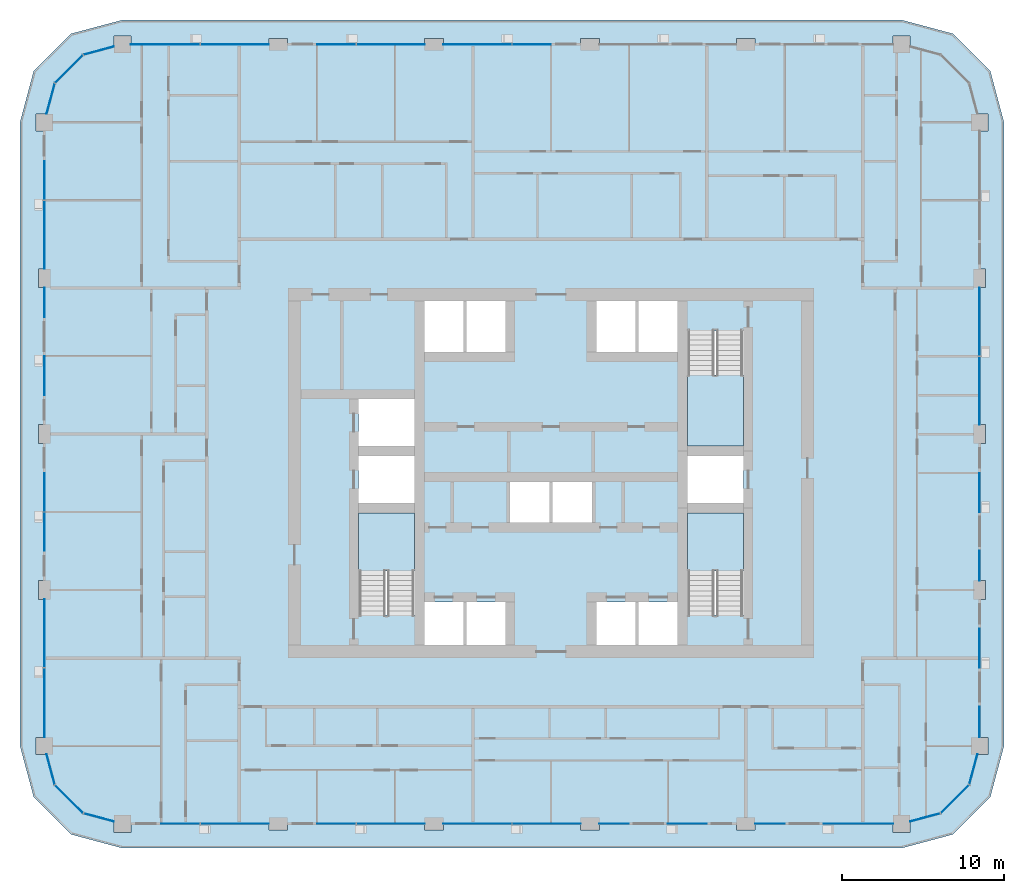
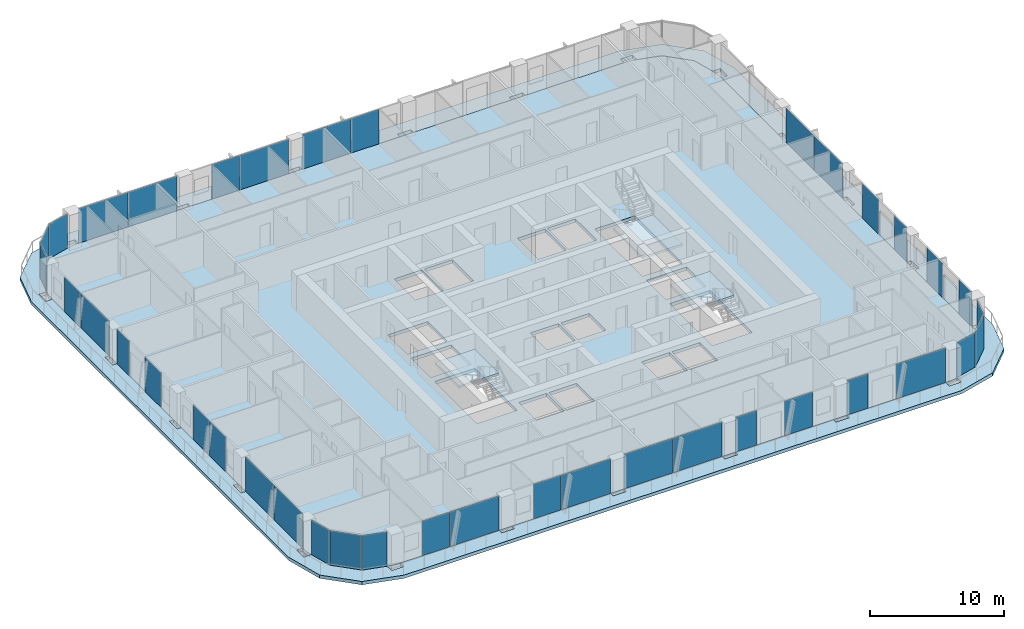
# One storey, part 7 of 22: 39 plates, 5 slabs, 21 elements without a shape of their own.
"""IFC4 building model written with IfcOpenShell, lengths in metres."""

from ifc_helpers import new_model, si_unit, direction, frame, origin, origin_2d, place, context, subcontext, project, spatial, polyline, rectangle, outline, extrude, material, layer, layer_set, type_object, element, aggregate, save


model = new_model("IFC4")

# Units and contexts
model_context = context("Model", 3, precision=1e-05, world=origin(), true_north=direction((0.0, 1.0)))
body_context = subcontext(model_context, "Body", "Model", "MODEL_VIEW")
ifc_project = project(units=[si_unit("LENGTHUNIT", "METRE"), si_unit("AREAUNIT", "SQUARE_METRE"), si_unit("VOLUMEUNIT", "CUBIC_METRE"), si_unit("PLANEANGLEUNIT", "RADIAN"), si_unit("MASSUNIT", "GRAM", prefix="KILO")], contexts=[model_context])

# Site, building, storey
site_placement = place(None, origin())
site = spatial("IfcSite", under=ifc_project, at=site_placement, CompositionType="ELEMENT")
building_placement = place(site_placement, origin())
building = spatial("IfcBuilding", under=site, at=building_placement, Name="Madar Terraces", CompositionType="ELEMENT")
storey_placement = place(building_placement, frame((0.0, 0.0, 122.60009765625)))
storey = spatial("IfcBuildingStorey", under=building, at=storey_placement, Name="L31", CompositionType="ELEMENT", Elevation=122.60009765625)

# Slabs
ifc_material_1 = material(Name="Concrete C50/60", Category="concrete")
ifc_layer_1 = layer(ifc_material_1, 0.300048828125)
ifc_layer_set_1 = layer_set([ifc_layer_1], Name="Balcony band 300")
slab_type_1 = type_object("IfcSlabType", Name="Balcony band 300", PredefinedType="FLOOR", material=ifc_layer_set_1)
slab_1_placement = place(storey_placement, frame((0.0, 0.0, -0.300048828125)))
element("IfcSlab", 1, at=slab_1_placement, inside=storey, type_object=slab_type_1, Name="Balcony band", PredefinedType="FLOOR", context=body_context, shape_type="SweptSolid", body=[
    extrude(outline(polyline([(4.800048828125, 3.300048828125), (1.64990234375, 4.14404296875), (-0.656005859375, 6.449951171875), (-1.5, 9.60009765625), (-1.5, 48.0), (-0.656005859375, 51.14990234375), (1.64990234375, 53.4560546875), (4.800048828125, 54.300048828125), (52.800048828125, 54.300048828125), (55.949951171875, 53.4560546875), (58.256103515625, 51.14990234375), (59.10009765625, 48.0), (59.10009765625, 9.60009765625), (58.256103515625, 6.449951171875), (55.949951171875, 4.14404296875), (52.800048828125, 3.300048828125), (4.800048828125, 3.300048828125)]), holes=[polyline([(5.324951171875, 4.27490234375), (5.324951171875, 4.800048828125), (13.824951171875, 4.800048828125), (13.824951171875, 4.425048828125), (14.97509765625, 4.425048828125), (14.97509765625, 4.800048828125), (23.425048828125, 4.800048828125), (23.425048828125, 4.425048828125), (24.574951171875, 4.425048828125), (24.574951171875, 4.800048828125), (33.02490234375, 4.800048828125), (33.02490234375, 4.425048828125), (34.175048828125, 4.425048828125), (34.175048828125, 4.800048828125), (42.625, 4.800048828125), (42.625, 4.425048828125), (43.77490234375, 4.425048828125), (43.77490234375, 4.800048828125), (52.27490234375, 4.800048828125), (52.27490234375, 4.27490234375), (53.324951171875, 4.27490234375), (53.324951171875, 4.940673828125), (55.199951171875, 5.443115234375), (56.956787109375, 7.199951171875), (57.459228515625, 9.074951171875), (58.125, 9.074951171875), (58.125, 10.125), (57.60009765625, 10.125), (57.60009765625, 18.625), (57.97509765625, 18.625), (57.97509765625, 19.77490234375), (57.60009765625, 19.77490234375), (57.60009765625, 28.22509765625), (57.97509765625, 28.22509765625), (57.97509765625, 29.375), (57.60009765625, 29.375), (57.60009765625, 37.824951171875), (57.97509765625, 37.824951171875), (57.97509765625, 38.97509765625), (57.60009765625, 38.97509765625), (57.60009765625, 47.47509765625), (58.125, 47.47509765625), (58.125, 48.52490234375), (57.459228515625, 48.52490234375), (56.956787109375, 50.39990234375), (55.199951171875, 52.156982421875), (53.324951171875, 52.6591796875), (53.324951171875, 53.324951171875), (52.27490234375, 53.324951171875), (52.27490234375, 52.800048828125), (43.77490234375, 52.800048828125), (43.77490234375, 53.175048828125), (42.625, 53.175048828125), (42.625, 52.800048828125), (34.175048828125, 52.800048828125), (34.175048828125, 53.175048828125), (33.02490234375, 53.175048828125), (33.02490234375, 52.800048828125), (24.574951171875, 52.800048828125), (24.574951171875, 53.175048828125), (23.425048828125, 53.175048828125), (23.425048828125, 52.800048828125), (14.97509765625, 52.800048828125), (14.97509765625, 53.175048828125), (13.824951171875, 53.175048828125), (13.824951171875, 52.800048828125), (5.324951171875, 52.800048828125), (5.324951171875, 53.324951171875), (4.27490234375, 53.324951171875), (4.27490234375, 52.6591796875), (2.39990234375, 52.156982421875), (0.64306640625, 50.39990234375), (0.140625, 48.52490234375), (-0.52490234375, 48.52490234375), (-0.52490234375, 47.47509765625), (0.0, 47.47509765625), (0.0, 38.97509765625), (-0.375, 38.97509765625), (-0.375, 37.824951171875), (0.0, 37.824951171875), (0.0, 29.375), (-0.375, 29.375), (-0.375, 28.22509765625), (0.0, 28.22509765625), (0.0, 19.77490234375), (-0.375, 19.77490234375), (-0.375, 18.625), (0.0, 18.625), (0.0, 10.125), (-0.52490234375, 10.125), (-0.52490234375, 9.074951171875), (0.140625, 9.074951171875), (0.64306640625, 7.199951171875), (2.39990234375, 5.443115234375), (4.27490234375, 4.940673828125), (4.27490234375, 4.27490234375), (5.324951171875, 4.27490234375)])]), origin(), (0.0, 0.0, 1.0), 0.300048828125),
])
ifc_material_2 = material(Name="Concrete C50/60", Category="concrete")
ifc_layer_2 = layer(ifc_material_2, 0.300048828125)
ifc_layer_set_2 = layer_set([ifc_layer_2], Name="FS2 PT flat slab 300")
slab_type_2 = type_object("IfcSlabType", Name="FS2 PT flat slab 300", PredefinedType="FLOOR", material=ifc_layer_set_2)
slab_2_placement = place(storey_placement, frame((0.0, 0.0, -0.300048828125)))
element("IfcSlab", 2, at=slab_2_placement, inside=storey, type_object=slab_type_2, Name="Floor slab L31 (1)", PredefinedType="FLOOR", context=body_context, shape_type="SweptSolid", body=[
    extrude(outline(polyline([(52.800048828125, 4.800048828125), (55.199951171875, 5.443115234375), (56.95703125, 7.199951171875), (57.60009765625, 9.60009765625), (57.60009765625, 48.0), (56.95703125, 50.39990234375), (55.199951171875, 52.156982421875), (52.800048828125, 52.800048828125), (4.800048828125, 52.800048828125), (2.39990234375, 52.156982421875), (0.64306640625, 50.39990234375), (0.0, 48.0), (0.0, 9.60009765625), (0.64306640625, 7.199951171875), (2.39990234375, 5.443115234375), (4.800048828125, 4.800048828125), (52.800048828125, 4.800048828125)]), holes=[polyline([(23.39990234375, 15.800048828125), (23.39990234375, 18.449951171875), (25.800048828125, 18.449951171875), (25.800048828125, 15.800048828125), (23.39990234375, 15.800048828125)]), polyline([(26.0, 15.800048828125), (26.0, 18.449951171875), (28.39990234375, 18.449951171875), (28.39990234375, 15.800048828125), (26.0, 15.800048828125)]), polyline([(19.35009765625, 17.64990234375), (19.35009765625, 23.949951171875), (22.800048828125, 23.949951171875), (22.800048828125, 17.64990234375), (19.35009765625, 17.64990234375)]), polyline([(28.666748046875, 23.35009765625), (28.666748046875, 25.85009765625), (31.10009765625, 25.85009765625), (31.10009765625, 23.35009765625), (28.666748046875, 23.35009765625)]), polyline([(19.35009765625, 24.550048828125), (19.35009765625, 27.449951171875), (22.800048828125, 27.449951171875), (22.800048828125, 24.550048828125), (19.35009765625, 24.550048828125)]), polyline([(19.35009765625, 28.050048828125), (19.35009765625, 30.949951171875), (22.800048828125, 30.949951171875), (22.800048828125, 28.050048828125), (19.35009765625, 28.050048828125)]), polyline([(23.39990234375, 33.85009765625), (23.39990234375, 37.0), (25.800048828125, 37.0), (25.800048828125, 33.85009765625), (23.39990234375, 33.85009765625)]), polyline([(26.0, 33.85009765625), (26.0, 37.0), (28.39990234375, 37.0), (28.39990234375, 33.85009765625), (26.0, 33.85009765625)]), polyline([(34.0, 15.800048828125), (34.0, 18.449951171875), (36.39990234375, 18.449951171875), (36.39990234375, 15.800048828125), (34.0, 15.800048828125)]), polyline([(36.60009765625, 15.800048828125), (36.60009765625, 18.449951171875), (39.0, 18.449951171875), (39.0, 15.800048828125), (36.60009765625, 15.800048828125)]), polyline([(39.60009765625, 17.64990234375), (39.60009765625, 23.949951171875), (43.050048828125, 23.949951171875), (43.050048828125, 17.64990234375), (39.60009765625, 17.64990234375)]), polyline([(31.300048828125, 23.35009765625), (31.300048828125, 25.85009765625), (33.7333984375, 25.85009765625), (33.7333984375, 23.35009765625), (31.300048828125, 23.35009765625)]), polyline([(39.60009765625, 24.550048828125), (39.60009765625, 27.449951171875), (43.050048828125, 27.449951171875), (43.050048828125, 24.550048828125), (39.60009765625, 24.550048828125)]), polyline([(39.60009765625, 28.050048828125), (39.60009765625, 35.14990234375), (43.050048828125, 35.14990234375), (43.050048828125, 28.050048828125), (39.60009765625, 28.050048828125)]), polyline([(34.0, 33.85009765625), (34.0, 37.0), (36.39990234375, 37.0), (36.39990234375, 33.85009765625), (34.0, 33.85009765625)]), polyline([(36.60009765625, 33.85009765625), (36.60009765625, 37.0), (39.0, 37.0), (39.0, 33.85009765625), (36.60009765625, 33.85009765625)])]), origin(), (0.0, 0.0, 1.0), 0.300048828125),
])

# Curtain wall, plates
ifc_material_3 = material(Name="Glass, ceramic frit dark grey, with black aluminium frame", Category="aluminium")
ifc_layer_3 = layer(ifc_material_3, 0.199951171875)
ifc_layer_set_3 = layer_set([ifc_layer_3], Name="Facade curtain wall, fritted glass")
curtain_wall_type = type_object("IfcCurtainWallType", Name="Facade curtain wall, fritted glass", PredefinedType="NOTDEFINED", material=ifc_layer_set_3)
curtain_wall_1_placement = place(storey_placement, origin())
curtain_wall_1 = element("IfcCurtainWall", 3, at=curtain_wall_1_placement, inside=storey, type_object=curtain_wall_type, Name="Outer skin curtain wall south bay 1", PredefinedType="NOTDEFINED")
ifc_material_4 = material(Name="Glass, ceramic frit dark grey", Category="glass")
ifc_layer_4 = layer(ifc_material_4, 0.028076171875)
ifc_layer_set_4 = layer_set([ifc_layer_4], Name="Facade glass panel 28")
plate_type = type_object("IfcPlateType", Name="Facade glass panel 28", PredefinedType="CURTAIN_PANEL", material=ifc_layer_set_4)
plate_1_placement = place(storey_placement, frame((8.385009765625, 4.800048828125, 0.0), z_axis=(0.0, 0.0, 1.0), x_axis=(1.0, 0.0, 0.0)))
plate_1 = element("IfcPlate", 4, at=plate_1_placement, type_object=plate_type, Name="Panel 1", PredefinedType="CURTAIN_PANEL", context=body_context, shape_type="SweptSolid", body=[
    extrude(rectangle(XDim=2.3701171875, YDim=0.028076171875, at=origin_2d()), origin(), (0.0, 0.0, 1.0), 3.139892578125),
])
plate_2_placement = place(storey_placement, frame((11.7275390625, 4.800048828125, 0.0), z_axis=(0.0, 0.0, 1.0), x_axis=(1.0, 0.0, 0.0)))
plate_2 = element("IfcPlate", 5, at=plate_2_placement, type_object=plate_type, Name="Panel 2", PredefinedType="CURTAIN_PANEL", context=body_context, shape_type="SweptSolid", body=[
    extrude(rectangle(XDim=4.195068359375, YDim=0.028076171875, at=origin_2d()), origin(), (0.0, 0.0, 1.0), 3.139892578125),
])
aggregate(curtain_wall_1, [plate_1, plate_2])

curtain_wall_2_placement = place(storey_placement, origin())
curtain_wall_2 = element("IfcCurtainWall", 6, at=curtain_wall_2_placement, inside=storey, type_object=curtain_wall_type, Name="Outer skin curtain wall south bay 2", PredefinedType="NOTDEFINED")
plate_3_placement = place(storey_placement, frame((17.985107421875, 4.800048828125, 0.0), z_axis=(0.0, 0.0, 1.0), x_axis=(1.0, 0.0, 0.0)))
plate_3 = element("IfcPlate", 7, at=plate_3_placement, type_object=plate_type, Name="Panel 1", PredefinedType="CURTAIN_PANEL", context=body_context, shape_type="SweptSolid", body=[
    extrude(rectangle(XDim=2.3701171875, YDim=0.028076171875, at=origin_2d()), origin(), (0.0, 0.0, 1.0), 3.139892578125),
])
plate_4_placement = place(storey_placement, frame((21.327392578125, 4.800048828125, 0.0), z_axis=(0.0, 0.0, 1.0), x_axis=(1.0, 0.0, 0.0)))
plate_4 = element("IfcPlate", 8, at=plate_4_placement, type_object=plate_type, Name="Panel 2", PredefinedType="CURTAIN_PANEL", context=body_context, shape_type="SweptSolid", body=[
    extrude(rectangle(XDim=4.195068359375, YDim=0.028076171875, at=origin_2d()), origin(), (0.0, 0.0, 1.0), 3.139892578125),
])
aggregate(curtain_wall_2, [plate_3, plate_4])

curtain_wall_3_placement = place(storey_placement, origin())
curtain_wall_3 = element("IfcCurtainWall", 9, at=curtain_wall_3_placement, inside=storey, type_object=curtain_wall_type, Name="Outer skin curtain wall south bay 3", PredefinedType="NOTDEFINED")
plate_5_placement = place(storey_placement, frame((26.672607421875, 4.800048828125, 0.0), z_axis=(0.0, 0.0, 1.0), x_axis=(1.0, 0.0, 0.0)))
plate_5 = element("IfcPlate", 10, at=plate_5_placement, type_object=plate_type, Name="Panel 1", PredefinedType="CURTAIN_PANEL", context=body_context, shape_type="SweptSolid", body=[
    extrude(rectangle(XDim=4.195068359375, YDim=0.028076171875, at=origin_2d()), origin(), (0.0, 0.0, 1.0), 3.139892578125),
])
plate_6_placement = place(storey_placement, frame((30.927490234375, 4.800048828125, 0.0), z_axis=(0.0, 0.0, 1.0), x_axis=(1.0, 0.0, 0.0)))
plate_6 = element("IfcPlate", 11, at=plate_6_placement, type_object=plate_type, Name="Panel 2", PredefinedType="CURTAIN_PANEL", context=body_context, shape_type="SweptSolid", body=[
    extrude(rectangle(XDim=4.195068359375, YDim=0.028076171875, at=origin_2d()), origin(), (0.0, 0.0, 1.0), 3.139892578125),
])
aggregate(curtain_wall_3, [plate_5, plate_6])

curtain_wall_4_placement = place(storey_placement, origin())
curtain_wall_4 = element("IfcCurtainWall", 12, at=curtain_wall_4_placement, inside=storey, type_object=curtain_wall_type, Name="Outer skin curtain wall south bay 4", PredefinedType="NOTDEFINED")
plate_7_placement = place(storey_placement, frame((35.08740234375, 4.800048828125, 0.0), z_axis=(0.0, 0.0, 1.0), x_axis=(1.0, 0.0, 0.0)))
plate_7 = element("IfcPlate", 13, at=plate_7_placement, type_object=plate_type, Name="Panel 1", PredefinedType="CURTAIN_PANEL", context=body_context, shape_type="SweptSolid", body=[
    extrude(rectangle(XDim=1.824951171875, YDim=0.028076171875, at=origin_2d()), origin(), (0.0, 0.0, 1.0), 3.139892578125),
])
plate_8_placement = place(storey_placement, frame((39.60009765625, 4.800048828125, 0.0), z_axis=(0.0, 0.0, 1.0), x_axis=(1.0, 0.0, 0.0)))
plate_8 = element("IfcPlate", 14, at=plate_8_placement, type_object=plate_type, Name="Panel 2", PredefinedType="CURTAIN_PANEL", context=body_context, shape_type="SweptSolid", body=[
    extrude(rectangle(XDim=2.39990234375, YDim=0.028076171875, at=origin_2d()), origin(), (0.0, 0.0, 1.0), 3.139892578125),
])
aggregate(curtain_wall_4, [plate_7, plate_8])

curtain_wall_5_placement = place(storey_placement, origin())
curtain_wall_5 = element("IfcCurtainWall", 15, at=curtain_wall_5_placement, inside=storey, type_object=curtain_wall_type, Name="Outer skin curtain wall south bay 5", PredefinedType="NOTDEFINED")
plate_9_placement = place(storey_placement, frame((44.6875, 4.800048828125, 0.0), z_axis=(0.0, 0.0, 1.0), x_axis=(1.0, 0.0, 0.0)))
plate_9 = element("IfcPlate", 16, at=plate_9_placement, type_object=plate_type, Name="Panel 1", PredefinedType="CURTAIN_PANEL", context=body_context, shape_type="SweptSolid", body=[
    extrude(rectangle(XDim=1.824951171875, YDim=0.028076171875, at=origin_2d()), origin(), (0.0, 0.0, 1.0), 3.139892578125),
])
plate_10_placement = place(storey_placement, frame((50.137451171875, 4.800048828125, 0.0), z_axis=(0.0, 0.0, 1.0), x_axis=(1.0, 0.0, 0.0)))
plate_10 = element("IfcPlate", 17, at=plate_10_placement, type_object=plate_type, Name="Panel 2", PredefinedType="CURTAIN_PANEL", context=body_context, shape_type="SweptSolid", body=[
    extrude(rectangle(XDim=4.27490234375, YDim=0.028076171875, at=origin_2d()), origin(), (0.0, 0.0, 1.0), 3.139892578125),
])
aggregate(curtain_wall_5, [plate_9, plate_10])

curtain_wall_6_placement = place(storey_placement, origin())
curtain_wall_6 = element("IfcCurtainWall", 18, at=curtain_wall_6_placement, inside=storey, type_object=curtain_wall_type, Name="Outer skin curtain wall east bay 1", PredefinedType="NOTDEFINED")
plate_11_placement = place(storey_placement, frame((57.60009765625, 11.0625, 0.0), z_axis=(0.0, 0.0, 1.0), x_axis=(0.0, 1.0, 0.0)))
plate_11 = element("IfcPlate", 19, at=plate_11_placement, type_object=plate_type, Name="Panel 1", PredefinedType="CURTAIN_PANEL", context=body_context, shape_type="SweptSolid", body=[
    extrude(rectangle(XDim=1.875, YDim=0.028076171875, at=origin_2d()), origin(), (0.0, 0.0, 1.0), 3.139892578125),
])
plate_12_placement = place(storey_placement, frame((57.60009765625, 15.60009765625, 0.0), z_axis=(0.0, 0.0, 1.0), x_axis=(0.0, 1.0, 0.0)))
plate_12 = element("IfcPlate", 20, at=plate_12_placement, type_object=plate_type, Name="Panel 2", PredefinedType="CURTAIN_PANEL", context=body_context, shape_type="SweptSolid", body=[
    extrude(rectangle(XDim=2.39990234375, YDim=0.028076171875, at=origin_2d()), origin(), (0.0, 0.0, 1.0), 3.139892578125),
])
aggregate(curtain_wall_6, [plate_11, plate_12])

curtain_wall_7_placement = place(storey_placement, origin())
curtain_wall_7 = element("IfcCurtainWall", 21, at=curtain_wall_7_placement, inside=storey, type_object=curtain_wall_type, Name="Outer skin curtain wall east bay 2", PredefinedType="NOTDEFINED")
plate_13_placement = place(storey_placement, frame((57.60009765625, 20.6875, 0.0), z_axis=(0.0, 0.0, 1.0), x_axis=(0.0, 1.0, 0.0)))
plate_13 = element("IfcPlate", 22, at=plate_13_placement, type_object=plate_type, Name="Panel 1", PredefinedType="CURTAIN_PANEL", context=body_context, shape_type="SweptSolid", body=[
    extrude(rectangle(XDim=1.824951171875, YDim=0.028076171875, at=origin_2d()), origin(), (0.0, 0.0, 1.0), 3.139892578125),
])
plate_14_placement = place(storey_placement, frame((57.60009765625, 25.199951171875, 0.0), z_axis=(0.0, 0.0, 1.0), x_axis=(0.0, 1.0, 0.0)))
plate_14 = element("IfcPlate", 23, at=plate_14_placement, type_object=plate_type, Name="Panel 2", PredefinedType="CURTAIN_PANEL", context=body_context, shape_type="SweptSolid", body=[
    extrude(rectangle(XDim=2.39990234375, YDim=0.028076171875, at=origin_2d()), origin(), (0.0, 0.0, 1.0), 3.139892578125),
])
aggregate(curtain_wall_7, [plate_13, plate_14])

curtain_wall_8_placement = place(storey_placement, origin())
curtain_wall_8 = element("IfcCurtainWall", 24, at=curtain_wall_8_placement, inside=storey, type_object=curtain_wall_type, Name="Outer skin curtain wall east bay 3", PredefinedType="NOTDEFINED")
plate_15_placement = place(storey_placement, frame((57.60009765625, 31.472412109375, 0.0), z_axis=(0.0, 0.0, 1.0), x_axis=(0.0, 1.0, 0.0)))
plate_15 = element("IfcPlate", 25, at=plate_15_placement, type_object=plate_type, Name="Panel 1", PredefinedType="CURTAIN_PANEL", context=body_context, shape_type="SweptSolid", body=[
    extrude(rectangle(XDim=4.195068359375, YDim=0.028076171875, at=origin_2d()), origin(), (0.0, 0.0, 1.0), 3.139892578125),
])
plate_16_placement = place(storey_placement, frame((57.60009765625, 35.7275390625, 0.0), z_axis=(0.0, 0.0, 1.0), x_axis=(0.0, 1.0, 0.0)))
plate_16 = element("IfcPlate", 26, at=plate_16_placement, type_object=plate_type, Name="Panel 2", PredefinedType="CURTAIN_PANEL", context=body_context, shape_type="SweptSolid", body=[
    extrude(rectangle(XDim=4.195068359375, YDim=0.028076171875, at=origin_2d()), origin(), (0.0, 0.0, 1.0), 3.139892578125),
])
aggregate(curtain_wall_8, [plate_15, plate_16])

curtain_wall_9_placement = place(storey_placement, origin())
curtain_wall_9 = element("IfcCurtainWall", 27, at=curtain_wall_9_placement, inside=storey, type_object=curtain_wall_type, Name="Outer skin curtain wall north bay 3", PredefinedType="NOTDEFINED")
plate_17_placement = place(storey_placement, frame((30.014892578125, 52.800048828125, 0.0), z_axis=(0.0, 0.0, 1.0), x_axis=(-1.0, 0.0, 0.0)))
plate_17 = element("IfcPlate", 28, at=plate_17_placement, type_object=plate_type, Name="Panel 1", PredefinedType="CURTAIN_PANEL", context=body_context, shape_type="SweptSolid", body=[
    extrude(rectangle(XDim=2.3701171875, YDim=0.028076171875, at=origin_2d()), origin(), (0.0, 0.0, 1.0), 3.139892578125),
])
plate_18_placement = place(storey_placement, frame((26.672607421875, 52.800048828125, 0.0), z_axis=(0.0, 0.0, 1.0), x_axis=(-1.0, 0.0, 0.0)))
plate_18 = element("IfcPlate", 29, at=plate_18_placement, type_object=plate_type, Name="Panel 2", PredefinedType="CURTAIN_PANEL", context=body_context, shape_type="SweptSolid", body=[
    extrude(rectangle(XDim=4.195068359375, YDim=0.028076171875, at=origin_2d()), origin(), (0.0, 0.0, 1.0), 3.139892578125),
])
aggregate(curtain_wall_9, [plate_17, plate_18])

curtain_wall_10_placement = place(storey_placement, origin())
curtain_wall_10 = element("IfcCurtainWall", 30, at=curtain_wall_10_placement, inside=storey, type_object=curtain_wall_type, Name="Outer skin curtain wall north bay 4", PredefinedType="NOTDEFINED")
plate_19_placement = place(storey_placement, frame((21.327392578125, 52.800048828125, 0.0), z_axis=(0.0, 0.0, 1.0), x_axis=(-1.0, 0.0, 0.0)))
plate_19 = element("IfcPlate", 31, at=plate_19_placement, type_object=plate_type, Name="Panel 1", PredefinedType="CURTAIN_PANEL", context=body_context, shape_type="SweptSolid", body=[
    extrude(rectangle(XDim=4.195068359375, YDim=0.028076171875, at=origin_2d()), origin(), (0.0, 0.0, 1.0), 3.139892578125),
])
plate_20_placement = place(storey_placement, frame((17.985107421875, 52.800048828125, 0.0), z_axis=(0.0, 0.0, 1.0), x_axis=(-1.0, 0.0, 0.0)))
plate_20 = element("IfcPlate", 32, at=plate_20_placement, type_object=plate_type, Name="Panel 2", PredefinedType="CURTAIN_PANEL", context=body_context, shape_type="SweptSolid", body=[
    extrude(rectangle(XDim=2.3701171875, YDim=0.028076171875, at=origin_2d()), origin(), (0.0, 0.0, 1.0), 3.139892578125),
])
aggregate(curtain_wall_10, [plate_19, plate_20])

curtain_wall_11_placement = place(storey_placement, origin())
curtain_wall_11 = element("IfcCurtainWall", 33, at=curtain_wall_11_placement, inside=storey, type_object=curtain_wall_type, Name="Outer skin curtain wall north bay 5", PredefinedType="NOTDEFINED")
plate_21_placement = place(storey_placement, frame((11.7275390625, 52.800048828125, 0.0), z_axis=(0.0, 0.0, 1.0), x_axis=(-1.0, 0.0, 0.0)))
plate_21 = element("IfcPlate", 34, at=plate_21_placement, type_object=plate_type, Name="Panel 1", PredefinedType="CURTAIN_PANEL", context=body_context, shape_type="SweptSolid", body=[
    extrude(rectangle(XDim=4.195068359375, YDim=0.028076171875, at=origin_2d()), origin(), (0.0, 0.0, 1.0), 3.139892578125),
])
plate_22_placement = place(storey_placement, frame((7.447509765625, 52.800048828125, 0.0), z_axis=(0.0, 0.0, 1.0), x_axis=(-1.0, 0.0, 0.0)))
plate_22 = element("IfcPlate", 35, at=plate_22_placement, type_object=plate_type, Name="Panel 2", PredefinedType="CURTAIN_PANEL", context=body_context, shape_type="SweptSolid", body=[
    extrude(rectangle(XDim=4.2451171875, YDim=0.028076171875, at=origin_2d()), origin(), (0.0, 0.0, 1.0), 3.139892578125),
])
aggregate(curtain_wall_11, [plate_21, plate_22])

curtain_wall_12_placement = place(storey_placement, origin())
curtain_wall_12 = element("IfcCurtainWall", 36, at=curtain_wall_12_placement, inside=storey, type_object=curtain_wall_type, Name="Outer skin curtain wall west bay 1", PredefinedType="NOTDEFINED")
plate_23_placement = place(storey_placement, frame((0.0, 44.4150390625, 0.0), z_axis=(0.0, 0.0, 1.0), x_axis=(0.0, -1.0, 0.0)))
plate_23 = element("IfcPlate", 37, at=plate_23_placement, type_object=plate_type, Name="Panel 1", PredefinedType="CURTAIN_PANEL", context=body_context, shape_type="SweptSolid", body=[
    extrude(rectangle(XDim=2.3701171875, YDim=0.028076171875, at=origin_2d()), origin(), (0.0, 0.0, 1.0), 3.139892578125),
])
plate_24_placement = place(storey_placement, frame((0.0, 41.072509765625, 0.0), z_axis=(0.0, 0.0, 1.0), x_axis=(0.0, -1.0, 0.0)))
plate_24 = element("IfcPlate", 38, at=plate_24_placement, type_object=plate_type, Name="Panel 2", PredefinedType="CURTAIN_PANEL", context=body_context, shape_type="SweptSolid", body=[
    extrude(rectangle(XDim=4.195068359375, YDim=0.028076171875, at=origin_2d()), origin(), (0.0, 0.0, 1.0), 3.139892578125),
])
aggregate(curtain_wall_12, [plate_23, plate_24])

curtain_wall_13_placement = place(storey_placement, origin())
curtain_wall_13 = element("IfcCurtainWall", 39, at=curtain_wall_13_placement, inside=storey, type_object=curtain_wall_type, Name="Outer skin curtain wall west bay 2", PredefinedType="NOTDEFINED")
plate_25_placement = place(storey_placement, frame((0.0, 36.91259765625, 0.0), z_axis=(0.0, 0.0, 1.0), x_axis=(0.0, -1.0, 0.0)))
plate_25 = element("IfcPlate", 40, at=plate_25_placement, type_object=plate_type, Name="Panel 1", PredefinedType="CURTAIN_PANEL", context=body_context, shape_type="SweptSolid", body=[
    extrude(rectangle(XDim=1.824951171875, YDim=0.028076171875, at=origin_2d()), origin(), (0.0, 0.0, 1.0), 3.139892578125),
])
plate_26_placement = place(storey_placement, frame((0.0, 32.39990234375, 0.0), z_axis=(0.0, 0.0, 1.0), x_axis=(0.0, -1.0, 0.0)))
plate_26 = element("IfcPlate", 41, at=plate_26_placement, type_object=plate_type, Name="Panel 2", PredefinedType="CURTAIN_PANEL", context=body_context, shape_type="SweptSolid", body=[
    extrude(rectangle(XDim=2.39990234375, YDim=0.028076171875, at=origin_2d()), origin(), (0.0, 0.0, 1.0), 3.139892578125),
])
aggregate(curtain_wall_13, [plate_25, plate_26])

curtain_wall_14_placement = place(storey_placement, origin())
curtain_wall_14 = element("IfcCurtainWall", 42, at=curtain_wall_14_placement, inside=storey, type_object=curtain_wall_type, Name="Outer skin curtain wall west bay 3", PredefinedType="NOTDEFINED")
plate_27_placement = place(storey_placement, frame((0.0, 25.215087890625, 0.0), z_axis=(0.0, 0.0, 1.0), x_axis=(0.0, -1.0, 0.0)))
plate_27 = element("IfcPlate", 43, at=plate_27_placement, type_object=plate_type, Name="Panel 1", PredefinedType="CURTAIN_PANEL", context=body_context, shape_type="SweptSolid", body=[
    extrude(rectangle(XDim=2.3701171875, YDim=0.028076171875, at=origin_2d()), origin(), (0.0, 0.0, 1.0), 3.139892578125),
])
plate_28_placement = place(storey_placement, frame((0.0, 22.784912109375, 0.0), z_axis=(0.0, 0.0, 1.0), x_axis=(0.0, -1.0, 0.0)))
plate_28 = element("IfcPlate", 44, at=plate_28_placement, type_object=plate_type, Name="Panel 2", PredefinedType="CURTAIN_PANEL", context=body_context, shape_type="SweptSolid", body=[
    extrude(rectangle(XDim=2.3701171875, YDim=0.028076171875, at=origin_2d()), origin(), (0.0, 0.0, 1.0), 3.139892578125),
])
aggregate(curtain_wall_14, [plate_27, plate_28])

curtain_wall_15_placement = place(storey_placement, origin())
curtain_wall_15 = element("IfcCurtainWall", 45, at=curtain_wall_15_placement, inside=storey, type_object=curtain_wall_type, Name="Outer skin curtain wall west bay 4", PredefinedType="NOTDEFINED")
plate_29_placement = place(storey_placement, frame((0.0, 16.527587890625, 0.0), z_axis=(0.0, 0.0, 1.0), x_axis=(0.0, -1.0, 0.0)))
plate_29 = element("IfcPlate", 46, at=plate_29_placement, type_object=plate_type, Name="Panel 1", PredefinedType="CURTAIN_PANEL", context=body_context, shape_type="SweptSolid", body=[
    extrude(rectangle(XDim=4.195068359375, YDim=0.028076171875, at=origin_2d()), origin(), (0.0, 0.0, 1.0), 3.139892578125),
])
plate_30_placement = place(storey_placement, frame((0.0, 12.24755859375, 0.0), z_axis=(0.0, 0.0, 1.0), x_axis=(0.0, -1.0, 0.0)))
plate_30 = element("IfcPlate", 47, at=plate_30_placement, type_object=plate_type, Name="Panel 2", PredefinedType="CURTAIN_PANEL", context=body_context, shape_type="SweptSolid", body=[
    extrude(rectangle(XDim=4.2451171875, YDim=0.028076171875, at=origin_2d()), origin(), (0.0, 0.0, 1.0), 3.139892578125),
])
aggregate(curtain_wall_15, [plate_29, plate_30])

curtain_wall_16_placement = place(storey_placement, origin())
curtain_wall_16 = element("IfcCurtainWall", 48, at=curtain_wall_16_placement, inside=storey, type_object=curtain_wall_type, Name="Outer skin curtain wall south-east corner", PredefinedType="NOTDEFINED")
plate_31_placement = place(storey_placement, frame((54.248046875, 5.18798828125, 0.0), z_axis=(0.0, 0.0, 1.0), x_axis=(0.965925832509, 0.258819021888, 0.0)))
plate_31 = element("IfcPlate", 49, at=plate_31_placement, type_object=plate_type, Name="Panel 1", PredefinedType="CURTAIN_PANEL", context=body_context, shape_type="SweptSolid", body=[
    extrude(rectangle(XDim=1.9111328125, YDim=0.028076171875, at=origin_2d()), origin(), (0.0, 0.0, 1.0), 3.139892578125),
])
plate_32_placement = place(storey_placement, frame((56.078369140625, 6.321533203125, 0.0), z_axis=(0.0, 0.0, 1.0), x_axis=(0.707106781187, 0.707106781187, 0.0)))
plate_32 = element("IfcPlate", 50, at=plate_32_placement, type_object=plate_type, Name="Panel 2", PredefinedType="CURTAIN_PANEL", context=body_context, shape_type="SweptSolid", body=[
    extrude(rectangle(XDim=2.424560546875, YDim=0.028076171875, at=origin_2d()), origin(), (0.0, 0.0, 1.0), 3.139892578125),
])
plate_33_placement = place(storey_placement, frame((57.2119140625, 8.152099609375, 0.0), z_axis=(0.0, 0.0, 1.0), x_axis=(0.258819021888, 0.965925832509, 0.0)))
plate_33 = element("IfcPlate", 51, at=plate_33_placement, type_object=plate_type, Name="Panel 3", PredefinedType="CURTAIN_PANEL", context=body_context, shape_type="SweptSolid", body=[
    extrude(rectangle(XDim=1.9111328125, YDim=0.028076171875, at=origin_2d()), origin(), (0.0, 0.0, 1.0), 3.139892578125),
])
aggregate(curtain_wall_16, [plate_31, plate_32, plate_33])

curtain_wall_17_placement = place(storey_placement, origin())
curtain_wall_17 = element("IfcCurtainWall", 52, at=curtain_wall_17_placement, inside=storey, type_object=curtain_wall_type, Name="Outer skin curtain wall north-west corner", PredefinedType="NOTDEFINED")
plate_34_placement = place(storey_placement, frame((3.35205078125, 52.412109375, 0.0), z_axis=(0.0, 0.0, 1.0), x_axis=(-0.965925832509, -0.258819021888, 0.0)))
plate_34 = element("IfcPlate", 53, at=plate_34_placement, type_object=plate_type, Name="Panel 1", PredefinedType="CURTAIN_PANEL", context=body_context, shape_type="SweptSolid", body=[
    extrude(rectangle(XDim=1.9111328125, YDim=0.028076171875, at=origin_2d()), origin(), (0.0, 0.0, 1.0), 3.139892578125),
])
plate_35_placement = place(storey_placement, frame((1.521484375, 51.278564453125, 0.0), z_axis=(0.0, 0.0, 1.0), x_axis=(-0.707106781187, -0.707106781187, 0.0)))
plate_35 = element("IfcPlate", 54, at=plate_35_placement, type_object=plate_type, Name="Panel 2", PredefinedType="CURTAIN_PANEL", context=body_context, shape_type="SweptSolid", body=[
    extrude(rectangle(XDim=2.424560546875, YDim=0.028076171875, at=origin_2d()), origin(), (0.0, 0.0, 1.0), 3.139892578125),
])
plate_36_placement = place(storey_placement, frame((0.387939453125, 49.447998046875, 0.0), z_axis=(0.0, 0.0, 1.0), x_axis=(-0.258819021888, -0.965925832509, 0.0)))
plate_36 = element("IfcPlate", 55, at=plate_36_placement, type_object=plate_type, Name="Panel 3", PredefinedType="CURTAIN_PANEL", context=body_context, shape_type="SweptSolid", body=[
    extrude(rectangle(XDim=1.9111328125, YDim=0.028076171875, at=origin_2d()), origin(), (0.0, 0.0, 1.0), 3.139892578125),
])
aggregate(curtain_wall_17, [plate_34, plate_35, plate_36])

curtain_wall_18_placement = place(storey_placement, origin())
curtain_wall_18 = element("IfcCurtainWall", 56, at=curtain_wall_18_placement, inside=storey, type_object=curtain_wall_type, Name="Outer skin curtain wall south-west corner", PredefinedType="NOTDEFINED")
plate_37_placement = place(storey_placement, frame((0.387939453125, 8.152099609375, 0.0), z_axis=(0.0, 0.0, 1.0), x_axis=(0.258819021888, -0.965925832509, 0.0)))
plate_37 = element("IfcPlate", 57, at=plate_37_placement, type_object=plate_type, Name="Panel 1", PredefinedType="CURTAIN_PANEL", context=body_context, shape_type="SweptSolid", body=[
    extrude(rectangle(XDim=1.9111328125, YDim=0.028076171875, at=origin_2d()), origin(), (0.0, 0.0, 1.0), 3.139892578125),
])
plate_38_placement = place(storey_placement, frame((1.521484375, 6.321533203125, 0.0), z_axis=(0.0, 0.0, 1.0), x_axis=(0.707106781187, -0.707106781187, 0.0)))
plate_38 = element("IfcPlate", 58, at=plate_38_placement, type_object=plate_type, Name="Panel 2", PredefinedType="CURTAIN_PANEL", context=body_context, shape_type="SweptSolid", body=[
    extrude(rectangle(XDim=2.424560546875, YDim=0.028076171875, at=origin_2d()), origin(), (0.0, 0.0, 1.0), 3.139892578125),
])
plate_39_placement = place(storey_placement, frame((3.35205078125, 5.18798828125, 0.0), z_axis=(0.0, 0.0, 1.0), x_axis=(0.965925832509, -0.258819021888, 0.0)))
plate_39 = element("IfcPlate", 59, at=plate_39_placement, type_object=plate_type, Name="Panel 3", PredefinedType="CURTAIN_PANEL", context=body_context, shape_type="SweptSolid", body=[
    extrude(rectangle(XDim=1.9111328125, YDim=0.028076171875, at=origin_2d()), origin(), (0.0, 0.0, 1.0), 3.139892578125),
])
aggregate(curtain_wall_18, [plate_37, plate_38, plate_39])

# Stair, slab
ifc_material_5 = material(Name="Concrete C50/60", Category="concrete")
stair_type_1 = type_object("IfcStairType", Name="Stair ST1 protected exit", PredefinedType="HALF_TURN_STAIR", material=ifc_material_5)
stair_1_placement = place(storey_placement, origin())
stair_1 = element("IfcStair", 60, at=stair_1_placement, inside=storey, type_object=stair_type_1, Name="L31 Protected Exit Stair ST1", PredefinedType="HALF_TURN_STAIR")
ifc_material_6 = material(Name="Concrete C50/60", Category="concrete")
ifc_layer_5 = layer(ifc_material_6, 0.199951171875)
ifc_layer_set_5 = layer_set([ifc_layer_5], Name="Stair landing 200, top +1.75")
slab_type_3 = type_object("IfcSlabType", Name="Stair landing 200, top +1.75", PredefinedType="LANDING", material=ifc_layer_set_5)
slab_3_placement = place(storey_placement, frame((0.0, 0.0, 1.5498046875)))
slab_3 = element("IfcSlab", 61, at=slab_3_placement, type_object=slab_type_3, Name="ST1 landing 1", PredefinedType="LANDING", context=body_context, shape_type="SweptSolid", body=[
    extrude(outline(polyline([(19.35009765625, 20.360107421875), (22.800048828125, 20.360107421875), (22.800048828125, 23.949951171875), (19.35009765625, 23.949951171875), (19.35009765625, 20.360107421875)])), origin(), (0.0, 0.0, 1.0), 0.2001953125),
])
aggregate(stair_1, [slab_3])

ifc_material_7 = material(Name="Concrete C50/60", Category="concrete")
stair_type_2 = type_object("IfcStairType", Name="Stair ST2 protected exit", PredefinedType="HALF_TURN_STAIR", material=ifc_material_7)
stair_2_placement = place(storey_placement, origin())
stair_2 = element("IfcStair", 62, at=stair_2_placement, inside=storey, type_object=stair_type_2, Name="L31 Protected Exit Stair ST2", PredefinedType="HALF_TURN_STAIR")
slab_4_placement = place(storey_placement, frame((0.0, 0.0, 1.5498046875)))
slab_4 = element("IfcSlab", 63, at=slab_4_placement, type_object=slab_type_3, Name="ST2 landing 1", PredefinedType="LANDING", context=body_context, shape_type="SweptSolid", body=[
    extrude(outline(polyline([(39.60009765625, 28.050048828125), (43.050048828125, 28.050048828125), (43.050048828125, 32.43994140625), (39.60009765625, 32.43994140625), (39.60009765625, 28.050048828125)])), origin(), (0.0, 0.0, 1.0), 0.2001953125),
])
aggregate(stair_2, [slab_4])

ifc_material_8 = material(Name="Concrete C50/60", Category="concrete")
stair_type_3 = type_object("IfcStairType", Name="Stair ST3 protected exit", PredefinedType="HALF_TURN_STAIR", material=ifc_material_8)
stair_3_placement = place(storey_placement, origin())
stair_3 = element("IfcStair", 64, at=stair_3_placement, inside=storey, type_object=stair_type_3, Name="L31 Protected Exit Stair ST3", PredefinedType="HALF_TURN_STAIR")
slab_5_placement = place(storey_placement, frame((0.0, 0.0, 1.5498046875)))
slab_5 = element("IfcSlab", 65, at=slab_5_placement, type_object=slab_type_3, Name="ST3 landing 1", PredefinedType="LANDING", context=body_context, shape_type="SweptSolid", body=[
    extrude(outline(polyline([(39.60009765625, 20.360107421875), (43.050048828125, 20.360107421875), (43.050048828125, 23.949951171875), (39.60009765625, 23.949951171875), (39.60009765625, 20.360107421875)])), origin(), (0.0, 0.0, 1.0), 0.2001953125),
])
aggregate(stair_3, [slab_5])

save(model, "model.ifc")
